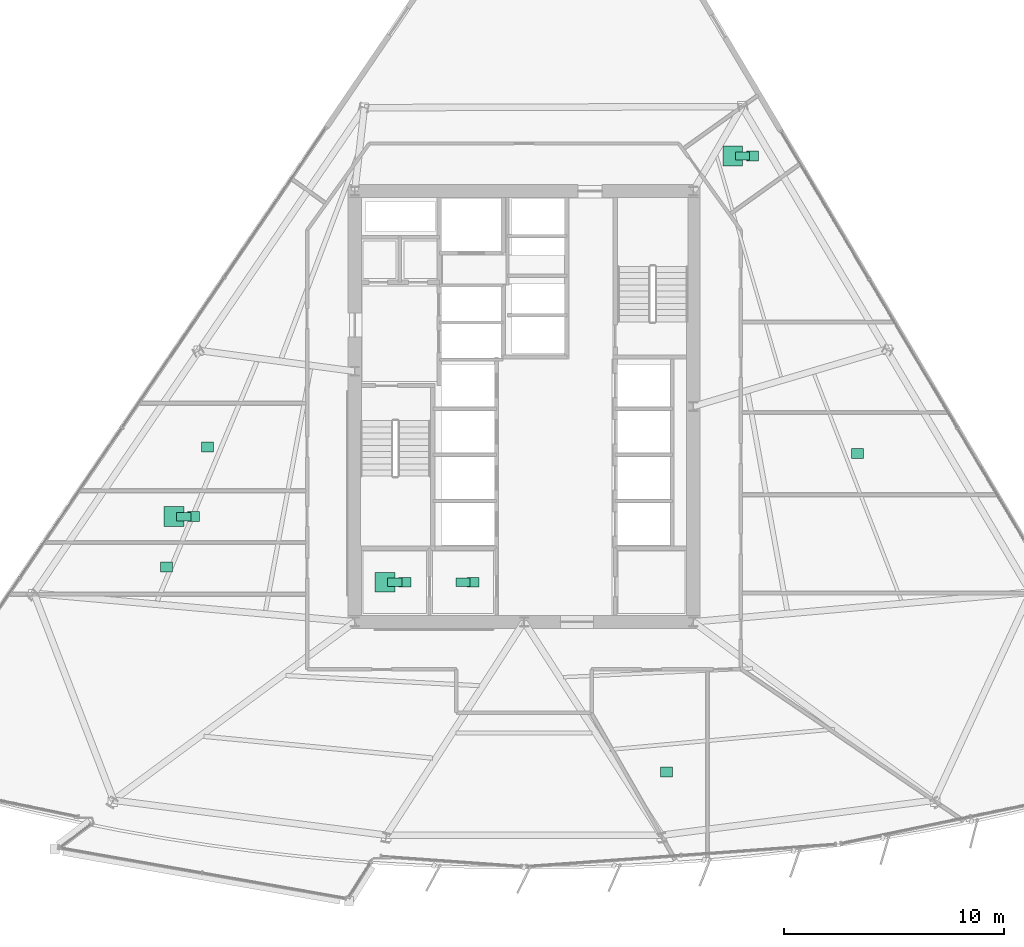
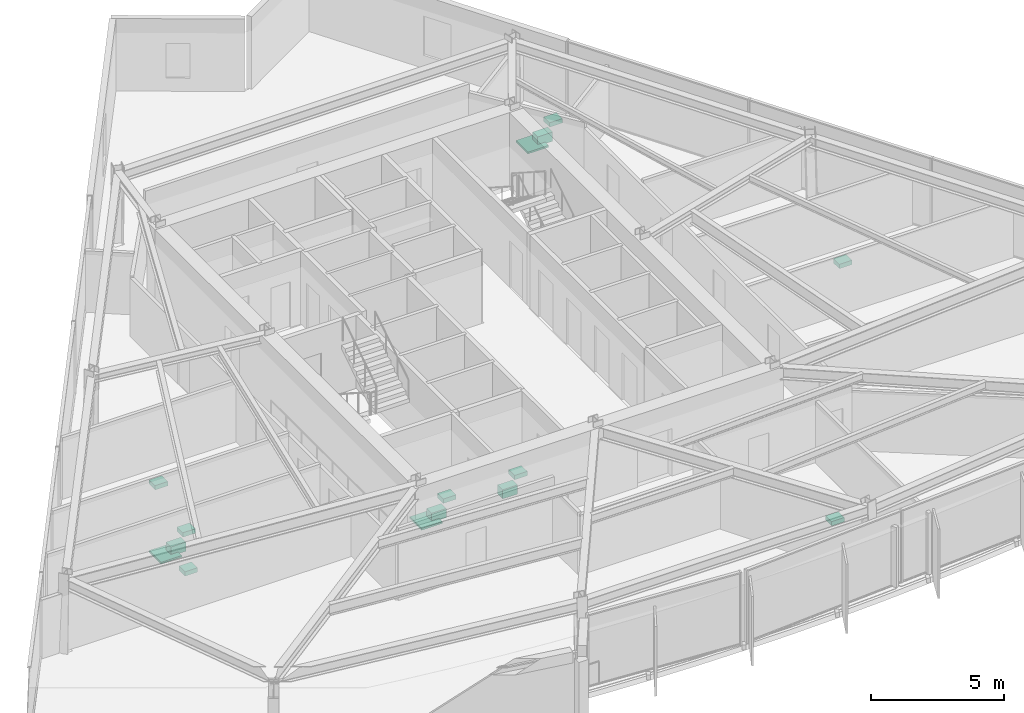
# One storey, part 15 of 15: 15 sanitary terminals.
"""IFC4 building model written with IfcOpenShell, lengths in metres."""

from ifc_helpers import new_model, si_unit, direction, frame, origin, origin_2d, place, context, subcontext, project, spatial, rectangle, extrude, material, type_object, element, save


model = new_model("IFC4")

# Units and contexts
model_context = context("Model", 3, precision=1e-05, world=origin(), true_north=direction((0.0, 1.0)))
body_context = subcontext(model_context, "Body", "Model", "MODEL_VIEW")
ifc_project = project(units=[si_unit("LENGTHUNIT", "METRE"), si_unit("AREAUNIT", "SQUARE_METRE"), si_unit("VOLUMEUNIT", "CUBIC_METRE"), si_unit("PLANEANGLEUNIT", "RADIAN"), si_unit("MASSUNIT", "GRAM", prefix="KILO")], contexts=[model_context])

# Site, building, storey
site_placement = place(None, origin())
site = spatial("IfcSite", under=ifc_project, at=site_placement, CompositionType="ELEMENT")
building_placement = place(site_placement, origin())
building = spatial("IfcBuilding", under=site, at=building_placement, Name="Savorim Split Tower", CompositionType="ELEMENT")
storey_placement = place(building_placement, frame((0.0, 0.0, 107.699951171875)))
storey = spatial("IfcBuildingStorey", under=building, at=storey_placement, Name="L28", CompositionType="ELEMENT", Elevation=107.699951171875)

# Sanitary terminals
ifc_material = material(Name="Vitreous China Sanitaryware")
sanitary_terminal_type_1 = type_object("IfcSanitaryTerminalType", Name="SAN-SHW-900", PredefinedType="SHOWER", material=ifc_material)
for number, where, z_axis, x_axis, name in (
    (1, (-6.324951171875, -7.60009765625, 0.0), (0.0, 0.0, 1.0), (1.0, 0.0, 0.0), "L28 Shared Bathroom Shower"),
    (2, (-15.92919921875, -4.61181640625, 0.0), (0.0, 0.0, 1.0), (1.0, 0.0, 0.0), "L28 Shared Bathroom Shower"),
    (3, (9.4921875, 11.79150390625, 0.0), (0.0, 0.0, 1.0), (1.0, 0.0, 0.0), "L28 Shared Bathroom Shower"),
):
    element("IfcSanitaryTerminal", number, at=place(storey_placement, frame(where, z_axis=z_axis, x_axis=x_axis)), inside=storey, type_object=sanitary_terminal_type_1, Name=name, PredefinedType="SHOWER", context=body_context, shape_type="SweptSolid", body=[
        extrude(rectangle(XDim=0.89990234375, YDim=0.89990234375, at=origin_2d()), origin(), (0.0, 0.0, 1.0), 0.080078125),
    ])
sanitary_terminal_type_2 = type_object("IfcSanitaryTerminalType", Name="SAN-WC-PAN", PredefinedType="TOILETPAN", material=ifc_material)
for number, where, z_axis, x_axis, name in (
    (4, (-5.875, -7.60009765625, 0.0), (0.0, 0.0, 1.0), (1.0, 0.0, 0.0), "L28 Shared Bathroom WC Pan"),
    (5, (-2.77490234375, -7.60009765625, 0.0), (0.0, 0.0, 1.0), (1.0, 0.0, 0.0), "L28 Accessible WC WC Pan"),
    (6, (-15.479248046875, -4.61181640625, 0.0), (0.0, 0.0, 1.0), (1.0, 0.0, 0.0), "L28 Shared Bathroom WC Pan"),
    (7, (9.942138671875, 11.79150390625, 0.0), (0.0, 0.0, 1.0), (1.0, 0.0, 0.0), "L28 Shared Bathroom WC Pan"),
):
    element("IfcSanitaryTerminal", number, at=place(storey_placement, frame(where, z_axis=z_axis, x_axis=x_axis)), inside=storey, type_object=sanitary_terminal_type_2, Name=name, PredefinedType="TOILETPAN", context=body_context, shape_type="SweptSolid", body=[
        extrude(rectangle(XDim=0.64990234375, YDim=0.3798828125, at=origin_2d()), origin(), (0.0, 0.0, 1.0), 0.419921875),
    ])
sanitary_terminal_type_3 = type_object("IfcSanitaryTerminalType", Name="SAN-WHB-550", PredefinedType="WASHHANDBASIN", material=ifc_material)
for number, where, z_axis, x_axis, name in (
    (8, (-5.425048828125, -7.60009765625, 0.72021484375), (0.0, 0.0, 1.0), (1.0, 0.0, 0.0), "L28 Shared Bathroom Washhand Basin"),
    (9, (-2.324951171875, -7.60009765625, 0.72021484375), (0.0, 0.0, 1.0), (1.0, 0.0, 0.0), "L28 Accessible WC Washhand Basin"),
    (10, (-14.402587890625, -1.446533203125, 0.75), (0.0, 0.0, 1.0), (1.0, 0.0, 0.0), "L28 Shared Kitchen Utility Sink"),
    (11, (-15.029296875, -4.61181640625, 0.72021484375), (0.0, 0.0, 1.0), (1.0, 0.0, 0.0), "L28 Shared Bathroom Washhand Basin"),
    (12, (-16.259033203125, -6.904052734375, 0.75), (0.0, 0.0, 1.0), (1.0, 0.0, 0.0), "L28 Community Laundry Room Utility Sink"),
    (13, (6.4736328125, -16.226318359375, 0.75), (0.0, 0.0, 1.0), (1.0, 0.0, 0.0), "L28 Community Laundry Room Utility Sink"),
    (14, (15.166015625, -1.746826171875, 0.75), (0.0, 0.0, 1.0), (1.0, 0.0, 0.0), "L28 Community Laundry Room Utility Sink"),
    (15, (10.39208984375, 11.79150390625, 0.72021484375), (0.0, 0.0, 1.0), (1.0, 0.0, 0.0), "L28 Shared Bathroom Washhand Basin"),
):
    element("IfcSanitaryTerminal", number, at=place(storey_placement, frame(where, z_axis=z_axis, x_axis=x_axis)), inside=storey, type_object=sanitary_terminal_type_3, Name=name, PredefinedType="WASHHANDBASIN", context=body_context, shape_type="SweptSolid", body=[
        extrude(rectangle(XDim=0.550048828125, YDim=0.449951171875, at=origin_2d()), origin(), (0.0, 0.0, 1.0), 0.199951171875),
    ])

save(model, "model.ifc")
